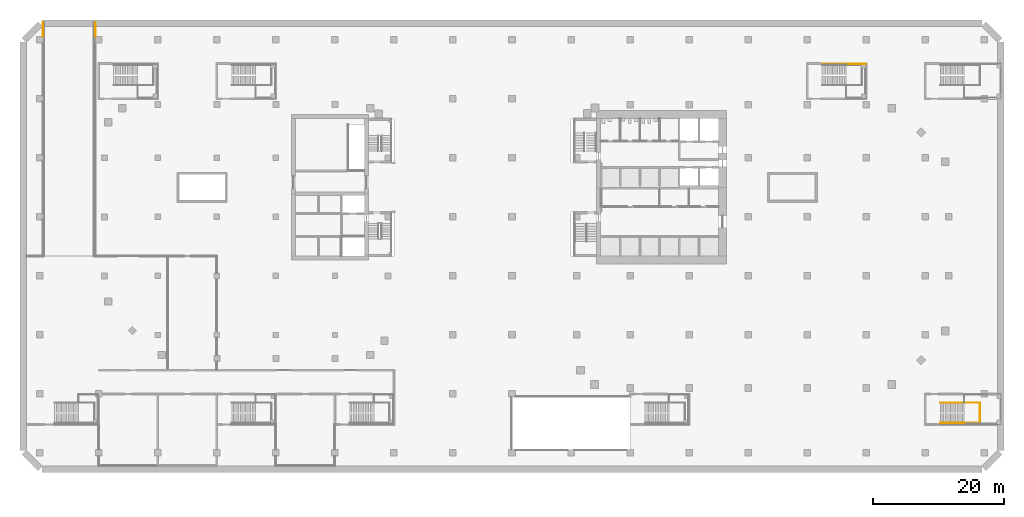
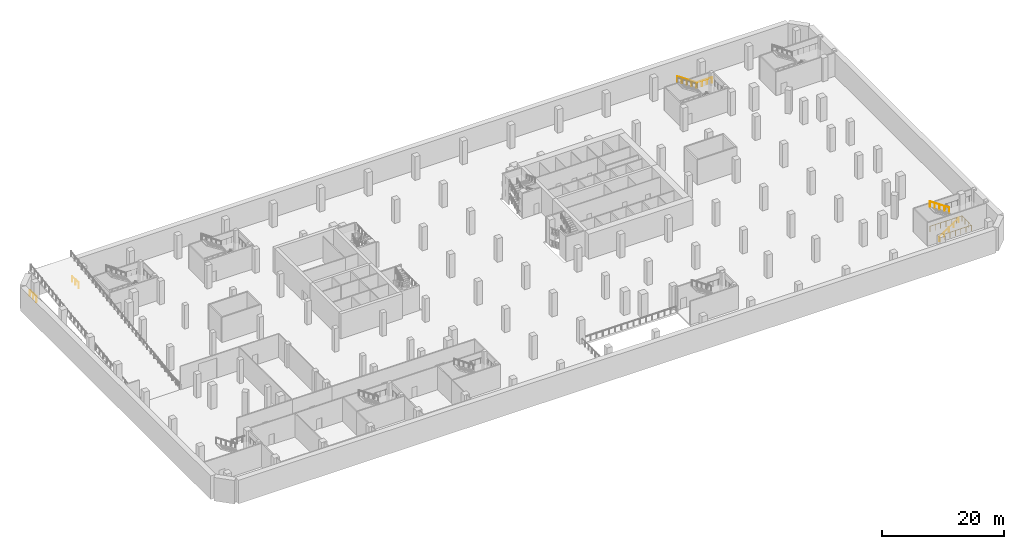
# One storey, part 17 of 19: 6 railings.
"""IFC4 building model written with IfcOpenShell, lengths in metres."""

from ifc_helpers import new_model, si_unit, direction, frame, origin, origin_2d, place, context, subcontext, project, spatial, circle, extrude, material, type_object, element, save


model = new_model("IFC4")

# Units and contexts
model_context = context("Model", 3, precision=1e-05, world=origin(), true_north=direction((0.0, 1.0)))
body_context = subcontext(model_context, "Body", "Model", "MODEL_VIEW")
ifc_project = project(units=[si_unit("LENGTHUNIT", "METRE"), si_unit("AREAUNIT", "SQUARE_METRE"), si_unit("VOLUMEUNIT", "CUBIC_METRE"), si_unit("PLANEANGLEUNIT", "RADIAN"), si_unit("MASSUNIT", "GRAM", prefix="KILO")], contexts=[model_context])

# Site, building, storey
site_placement = place(None, origin())
site = spatial("IfcSite", under=ifc_project, at=site_placement, CompositionType="ELEMENT")
building_placement = place(site_placement, origin())
building = spatial("IfcBuilding", under=site, at=building_placement, Name="Cinnabar Reach Civic Tower", CompositionType="ELEMENT")
storey_placement = place(building_placement, frame((0.0, 0.0, -5.0)))
storey = spatial("IfcBuildingStorey", under=building, at=storey_placement, Name="B1", CompositionType="ELEMENT", Elevation=-5.0)

# Railings
ifc_material_1 = material(Name="Stainless steel and glass", Category="steel")
railing_type_1 = type_object("IfcRailingType", Name="Podium guard 1100", PredefinedType="GUARDRAIL", material=ifc_material_1)
railing_1_placement = place(storey_placement, frame((59.94, -1.35, 2.5)))
element("IfcRailing", 1, at=railing_1_placement, inside=storey, type_object=railing_type_1, Name="Stair guard PS4 B1", PredefinedType="GUARDRAIL", context=body_context, shape_type="SweptSolid", body=[
    extrude(circle(Radius=0.024, at=origin_2d()), frame((0.0, 0.0, 1.076), z_axis=(-0.824306135323, 0.0, 0.566144323711), x_axis=(0.0, -1.0, 0.0)), (0.0, 0.0, 1.0), 4.4158),
    extrude(circle(Radius=0.021, at=origin_2d()), origin(), (0.0, 0.0, 1.0), 1.052),
    extrude(circle(Radius=0.021, at=origin_2d()), frame((-0.91, 0.0, 0.625)), (0.0, 0.0, 1.0), 1.052),
    extrude(circle(Radius=0.021, at=origin_2d()), frame((-1.82, 0.0, 1.25)), (0.0, 0.0, 1.0), 1.052),
    extrude(circle(Radius=0.021, at=origin_2d()), frame((-2.73, 0.0, 1.875)), (0.0, 0.0, 1.0), 1.052),
    extrude(circle(Radius=0.021, at=origin_2d()), frame((-3.64, 0.0, 2.5)), (0.0, 0.0, 1.0), 1.052),
])
railing_2_placement = place(storey_placement, frame((56.3, -4.45, 0.0)))
element("IfcRailing", 2, at=railing_2_placement, inside=storey, type_object=railing_type_1, Name="Stair well guard PS4 B1", PredefinedType="GUARDRAIL", context=body_context, shape_type="SweptSolid", body=[
    extrude(circle(Radius=0.024, at=origin_2d()), frame((0.0, 0.0, 1.076), z_axis=(1.0, 0.0, 0.0), x_axis=(0.0, 1.0, 0.0)), (0.0, 0.0, 1.0), 6.05),
    extrude(circle(Radius=0.024, at=origin_2d()), frame((6.05, 0.0, 1.076), z_axis=(0.0, 1.0, 0.0), x_axis=(-1.0, 0.0, 0.0)), (0.0, 0.0, 1.0), 3.1),
    extrude(circle(Radius=0.024, at=origin_2d()), frame((6.05, 3.1, 1.076), z_axis=(-1.0, 0.0, 0.0), x_axis=(0.0, -1.0, 0.0)), (0.0, 0.0, 1.0), 6.05),
    extrude(circle(Radius=0.021, at=origin_2d()), origin(), (0.0, 0.0, 1.0), 1.052),
    extrude(circle(Radius=0.021, at=origin_2d()), frame((1.0083, 0.0, 0.0)), (0.0, 0.0, 1.0), 1.052),
    extrude(circle(Radius=0.021, at=origin_2d()), frame((2.0167, 0.0, 0.0)), (0.0, 0.0, 1.0), 1.052),
    extrude(circle(Radius=0.021, at=origin_2d()), frame((3.025, 0.0, 0.0)), (0.0, 0.0, 1.0), 1.052),
    extrude(circle(Radius=0.021, at=origin_2d()), frame((4.0333, 0.0, 0.0)), (0.0, 0.0, 1.0), 1.052),
    extrude(circle(Radius=0.021, at=origin_2d()), frame((5.0417, 0.0, 0.0)), (0.0, 0.0, 1.0), 1.052),
    extrude(circle(Radius=0.021, at=origin_2d()), frame((6.05, 0.0, 0.0)), (0.0, 0.0, 1.0), 1.052),
    extrude(circle(Radius=0.021, at=origin_2d()), frame((6.05, 1.0333, 0.0)), (0.0, 0.0, 1.0), 1.052),
    extrude(circle(Radius=0.021, at=origin_2d()), frame((6.05, 2.0667, 0.0)), (0.0, 0.0, 1.0), 1.052),
    extrude(circle(Radius=0.021, at=origin_2d()), frame((6.05, 3.1, 0.0)), (0.0, 0.0, 1.0), 1.052),
    extrude(circle(Radius=0.021, at=origin_2d()), frame((5.0417, 3.1, 0.0)), (0.0, 0.0, 1.0), 1.052),
    extrude(circle(Radius=0.021, at=origin_2d()), frame((4.0333, 3.1, 0.0)), (0.0, 0.0, 1.0), 1.052),
    extrude(circle(Radius=0.021, at=origin_2d()), frame((3.025, 3.1, 0.0)), (0.0, 0.0, 1.0), 1.052),
    extrude(circle(Radius=0.021, at=origin_2d()), frame((2.0167, 3.1, 0.0)), (0.0, 0.0, 1.0), 1.052),
    extrude(circle(Radius=0.021, at=origin_2d()), frame((1.0083, 3.1, 0.0)), (0.0, 0.0, 1.0), 1.052),
    extrude(circle(Radius=0.021, at=origin_2d()), frame((0.0, 3.1, 0.0)), (0.0, 0.0, 1.0), 1.052),
])
railing_3_placement = place(storey_placement, frame((44.9, 50.3, 2.5)))
element("IfcRailing", 3, at=railing_3_placement, inside=storey, type_object=railing_type_1, Name="Stair wall side guard PS6 B1", PredefinedType="GUARDRAIL", context=body_context, shape_type="SweptSolid", body=[
    extrude(circle(Radius=0.024, at=origin_2d()), frame((0.0, 0.0, 1.076), z_axis=(-1.0, 0.0, 0.0), x_axis=(0.0, -1.0, 0.0)), (0.0, 0.0, 1.0), 2.96),
    extrude(circle(Radius=0.024, at=origin_2d()), frame((-2.96, 0.0, 1.076), z_axis=(-0.824306135323, 0.0, 0.566144323711), x_axis=(0.0, -1.0, 0.0)), (0.0, 0.0, 1.0), 4.4158),
    extrude(circle(Radius=0.021, at=origin_2d()), origin(), (0.0, 0.0, 1.0), 1.052),
    extrude(circle(Radius=0.021, at=origin_2d()), frame((-0.9867, 0.0, 0.0)), (0.0, 0.0, 1.0), 1.052),
    extrude(circle(Radius=0.021, at=origin_2d()), frame((-1.9733, 0.0, 0.0)), (0.0, 0.0, 1.0), 1.052),
    extrude(circle(Radius=0.021, at=origin_2d()), frame((-2.96, 0.0, 0.0)), (0.0, 0.0, 1.0), 1.052),
    extrude(circle(Radius=0.021, at=origin_2d()), frame((-3.87, 0.0, 0.625)), (0.0, 0.0, 1.0), 1.052),
    extrude(circle(Radius=0.021, at=origin_2d()), frame((-4.78, 0.0, 1.25)), (0.0, 0.0, 1.0), 1.052),
    extrude(circle(Radius=0.021, at=origin_2d()), frame((-5.69, 0.0, 1.875)), (0.0, 0.0, 1.0), 1.052),
    extrude(circle(Radius=0.021, at=origin_2d()), frame((-6.6, 0.0, 2.5)), (0.0, 0.0, 1.0), 1.052),
])
for number, where, name in (
    (4, (-80.5, 54.5, 0.0), "Opening guard B1 rh1-w"),
    (5, (-72.5, 54.5, 0.0), "Opening guard B1 rh1-e"),
):
    element("IfcRailing", number, at=place(storey_placement, frame(where)), inside=storey, type_object=railing_type_1, Name=name, PredefinedType="GUARDRAIL", context=body_context, shape_type="SweptSolid", body=[
        extrude(circle(Radius=0.024, at=origin_2d()), frame((0.0, 0.0, 1.076), z_axis=(0.0, 1.0, 0.0), x_axis=(-1.0, 0.0, 0.0)), (0.0, 0.0, 1.0), 2.1),
        extrude(circle(Radius=0.021, at=origin_2d()), origin(), (0.0, 0.0, 1.0), 1.052),
        extrude(circle(Radius=0.021, at=origin_2d()), frame((0.0, 1.05, 0.0)), (0.0, 0.0, 1.0), 1.052),
        extrude(circle(Radius=0.021, at=origin_2d()), frame((0.0, 2.1, 0.0)), (0.0, 0.0, 1.0), 1.052),
    ])
ifc_material_2 = material(Name="Stainless steel", Category="steel")
railing_type_2 = type_object("IfcRailingType", Name="Podium stair handrail 900", PredefinedType="HANDRAIL", material=ifc_material_2)
railing_4_placement = place(storey_placement, frame((56.3, -4.45, 0.0)))
element("IfcRailing", 6, at=railing_4_placement, inside=storey, type_object=railing_type_2, Name="Stair handrail PS4 B1", PredefinedType="HANDRAIL", context=body_context, shape_type="SweptSolid", body=[
    extrude(circle(Radius=0.024, at=origin_2d()), frame((0.0, 0.0, 0.876), z_axis=(0.824306135323, 0.0, 0.566144323711), x_axis=(0.0, 1.0, 0.0)), (0.0, 0.0, 1.0), 4.4158),
    extrude(circle(Radius=0.021, at=origin_2d()), origin(), (0.0, 0.0, 1.0), 0.852),
    extrude(circle(Radius=0.021, at=origin_2d()), frame((0.91, 0.0, 0.625)), (0.0, 0.0, 1.0), 0.852),
    extrude(circle(Radius=0.021, at=origin_2d()), frame((1.82, 0.0, 1.25)), (0.0, 0.0, 1.0), 0.852),
    extrude(circle(Radius=0.021, at=origin_2d()), frame((2.73, 0.0, 1.875)), (0.0, 0.0, 1.0), 0.852),
    extrude(circle(Radius=0.021, at=origin_2d()), frame((3.64, 0.0, 2.5)), (0.0, 0.0, 1.0), 0.852),
])

save(model, "model.ifc")
